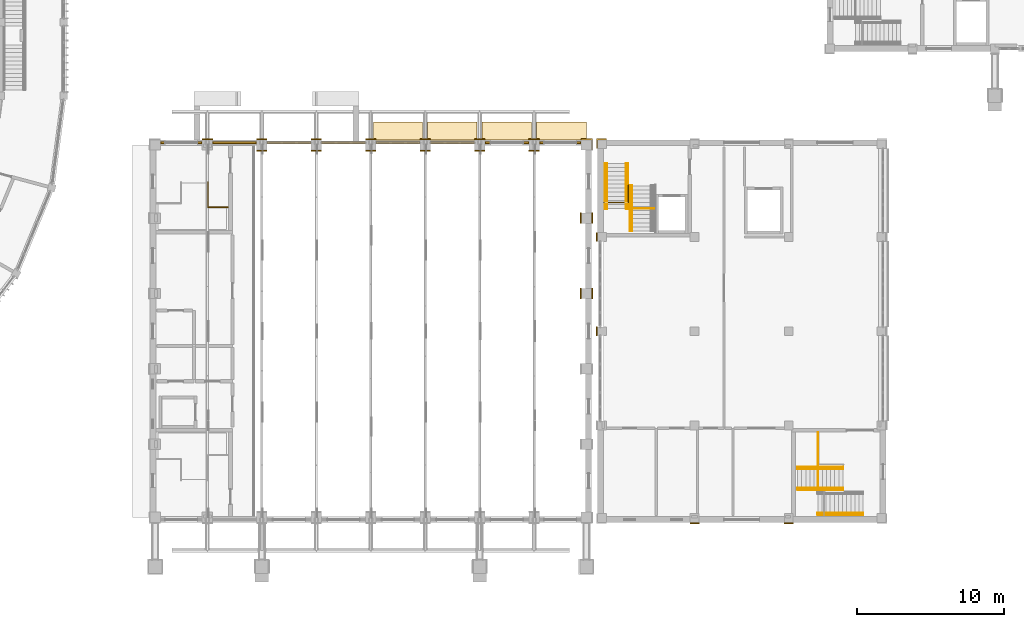
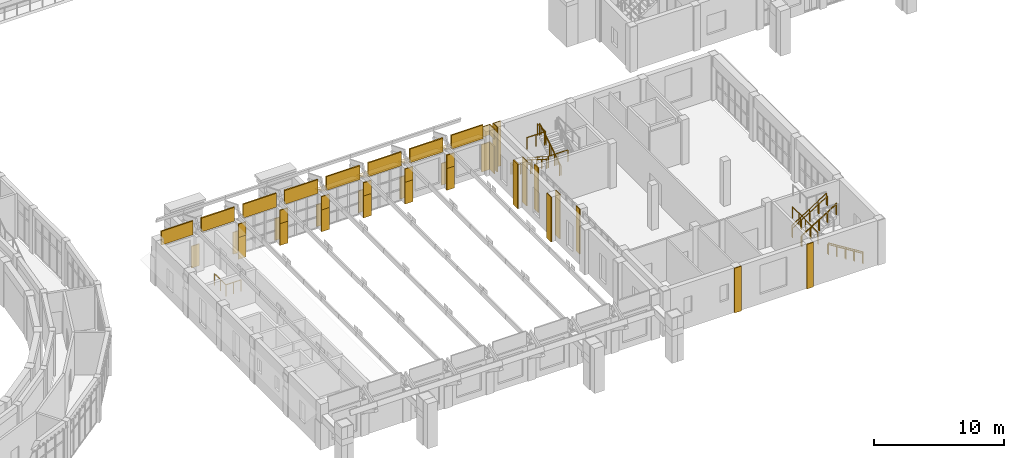
# One storey, part 87 of 99: 34 coverings, 16 railings, 8 shading devices.
"""IFC4 building model written with IfcOpenShell, lengths in metres."""

from ifc_helpers import new_model, si_unit, direction, frame, origin, origin_2d, place, context, subcontext, project, spatial, polyline, rectangle, circle, outline, extrude, material, layer, layer_set, type_object, element, save


model = new_model("IFC4")

# Units and contexts
model_context = context("Model", 3, precision=1e-05, world=origin(), true_north=direction((0.0, 1.0)))
body_context = subcontext(model_context, "Body", "Model", "MODEL_VIEW")
ifc_project = project(units=[si_unit("LENGTHUNIT", "METRE"), si_unit("AREAUNIT", "SQUARE_METRE"), si_unit("VOLUMEUNIT", "CUBIC_METRE"), si_unit("PLANEANGLEUNIT", "RADIAN"), si_unit("MASSUNIT", "GRAM", prefix="KILO")], contexts=[model_context])

# Site, building, storey
site_placement = place(None, origin())
site = spatial("IfcSite", under=ifc_project, at=site_placement, CompositionType="ELEMENT")
building_placement = place(site_placement, origin())
building = spatial("IfcBuilding", under=site, at=building_placement, Name="Wasatch Bagh Community Centre", CompositionType="ELEMENT")
storey_placement = place(building_placement, frame((0.0, 0.0, 4.199951171875)))
storey = spatial("IfcBuildingStorey", under=building, at=storey_placement, Name="L01", CompositionType="ELEMENT", Elevation=4.199951171875)

# Coverings
ifc_material_1 = material(Name="Cast stone cladding", Category="masonry")
ifc_layer_1 = layer(ifc_material_1, 0.080078125)
ifc_layer_set_1 = layer_set([ifc_layer_1], Name="Cast stone cladding")
covering_type_1 = type_object("IfcCoveringType", Name="CL-C1 column facing", PredefinedType="CLADDING", material=ifc_layer_set_1)
covering_1_placement = place(storey_placement, origin())
element("IfcCovering", 1, at=covering_1_placement, inside=storey, type_object=covering_type_1, Name="Column facing", PredefinedType="CLADDING", context=body_context, shape_type="SweptSolid", body=[
    extrude(outline(polyline([(70.25, 32.0), (69.550048828125, 32.0), (69.550048828125, 32.080078125), (70.25, 32.080078125), (70.25, 32.0)])), origin(), (0.0, 0.0, 1.0), 2.050048828125),
])
covering_2_placement = place(storey_placement, origin())
element("IfcCovering", 2, at=covering_2_placement, inside=storey, type_object=covering_type_1, Name="Column facing", PredefinedType="CLADDING", context=body_context, shape_type="SweptSolid", body=[
    extrude(outline(polyline([(73.25, 32.0), (73.25, 32.080078125), (73.949951171875, 32.080078125), (73.949951171875, 32.0), (73.25, 32.0)])), origin(), (0.0, 0.0, 1.0), 2.050048828125),
])
covering_3_placement = place(storey_placement, origin())
element("IfcCovering", 3, at=covering_3_placement, inside=storey, type_object=covering_type_1, Name="Column facing", PredefinedType="CLADDING", context=body_context, shape_type="SweptSolid", body=[
    extrude(outline(polyline([(73.949951171875, 31.300048828125), (73.949951171875, 31.219970703125), (73.25, 31.219970703125), (73.25, 31.300048828125), (73.949951171875, 31.300048828125)])), origin(), (0.0, 0.0, 1.0), 2.050048828125),
])
covering_4_placement = place(storey_placement, frame((0.0, 0.0, 2.050048828125)))
element("IfcCovering", 4, at=covering_4_placement, inside=storey, type_object=covering_type_1, Name="Column facing", PredefinedType="CLADDING", context=body_context, shape_type="SweptSolid", body=[
    extrude(outline(polyline([(73.25, 31.300048828125), (73.949951171875, 31.300048828125), (73.949951171875, 31.219970703125), (73.25, 31.219970703125), (73.25, 31.300048828125)])), origin(), (0.0, 0.0, 1.0), 1.25),
])
covering_5_placement = place(storey_placement, origin())
element("IfcCovering", 5, at=covering_5_placement, inside=storey, type_object=covering_type_1, Name="Column facing", PredefinedType="CLADDING", context=body_context, shape_type="SweptSolid", body=[
    extrude(outline(polyline([(76.949951171875, 32.0), (76.949951171875, 32.080078125), (77.64990234375, 32.080078125), (77.64990234375, 32.0), (76.949951171875, 32.0)])), origin(), (0.0, 0.0, 1.0), 2.050048828125),
])
covering_6_placement = place(storey_placement, origin())
element("IfcCovering", 6, at=covering_6_placement, inside=storey, type_object=covering_type_1, Name="Column facing", PredefinedType="CLADDING", context=body_context, shape_type="SweptSolid", body=[
    extrude(outline(polyline([(77.64990234375, 31.300048828125), (77.64990234375, 31.219970703125), (76.949951171875, 31.219970703125), (76.949951171875, 31.300048828125), (77.64990234375, 31.300048828125)])), origin(), (0.0, 0.0, 1.0), 2.050048828125),
])
covering_7_placement = place(storey_placement, frame((0.0, 0.0, 2.050048828125)))
element("IfcCovering", 7, at=covering_7_placement, inside=storey, type_object=covering_type_1, Name="Column facing", PredefinedType="CLADDING", context=body_context, shape_type="SweptSolid", body=[
    extrude(outline(polyline([(76.949951171875, 31.300048828125), (77.64990234375, 31.300048828125), (77.64990234375, 31.219970703125), (76.949951171875, 31.219970703125), (76.949951171875, 31.300048828125)])), origin(), (0.0, 0.0, 1.0), 1.25),
])
covering_8_placement = place(storey_placement, origin())
element("IfcCovering", 8, at=covering_8_placement, inside=storey, type_object=covering_type_1, Name="Column facing", PredefinedType="CLADDING", context=body_context, shape_type="SweptSolid", body=[
    extrude(outline(polyline([(80.64990234375, 32.0), (80.64990234375, 32.080078125), (81.35009765625, 32.080078125), (81.35009765625, 32.0), (80.64990234375, 32.0)])), origin(), (0.0, 0.0, 1.0), 2.050048828125),
])
covering_9_placement = place(storey_placement, origin())
element("IfcCovering", 9, at=covering_9_placement, inside=storey, type_object=covering_type_1, Name="Column facing", PredefinedType="CLADDING", context=body_context, shape_type="SweptSolid", body=[
    extrude(outline(polyline([(81.35009765625, 31.300048828125), (81.35009765625, 31.219970703125), (80.64990234375, 31.219970703125), (80.64990234375, 31.300048828125), (81.35009765625, 31.300048828125)])), origin(), (0.0, 0.0, 1.0), 2.050048828125),
])
covering_10_placement = place(storey_placement, frame((0.0, 0.0, 2.050048828125)))
element("IfcCovering", 10, at=covering_10_placement, inside=storey, type_object=covering_type_1, Name="Column facing", PredefinedType="CLADDING", context=body_context, shape_type="SweptSolid", body=[
    extrude(outline(polyline([(80.64990234375, 31.300048828125), (81.35009765625, 31.300048828125), (81.35009765625, 31.219970703125), (80.64990234375, 31.219970703125), (80.64990234375, 31.300048828125)])), origin(), (0.0, 0.0, 1.0), 1.25),
])
covering_11_placement = place(storey_placement, origin())
element("IfcCovering", 11, at=covering_11_placement, inside=storey, type_object=covering_type_1, Name="Column facing", PredefinedType="CLADDING", context=body_context, shape_type="SweptSolid", body=[
    extrude(outline(polyline([(84.35009765625, 32.0), (84.35009765625, 32.080078125), (85.050048828125, 32.080078125), (85.050048828125, 32.0), (84.35009765625, 32.0)])), origin(), (0.0, 0.0, 1.0), 2.050048828125),
])
covering_12_placement = place(storey_placement, origin())
element("IfcCovering", 12, at=covering_12_placement, inside=storey, type_object=covering_type_1, Name="Column facing", PredefinedType="CLADDING", context=body_context, shape_type="SweptSolid", body=[
    extrude(outline(polyline([(85.050048828125, 31.300048828125), (85.050048828125, 31.219970703125), (84.35009765625, 31.219970703125), (84.35009765625, 31.300048828125), (85.050048828125, 31.300048828125)])), origin(), (0.0, 0.0, 1.0), 2.050048828125),
])
covering_13_placement = place(storey_placement, frame((0.0, 0.0, 2.050048828125)))
element("IfcCovering", 13, at=covering_13_placement, inside=storey, type_object=covering_type_1, Name="Column facing", PredefinedType="CLADDING", context=body_context, shape_type="SweptSolid", body=[
    extrude(outline(polyline([(84.35009765625, 31.300048828125), (85.050048828125, 31.300048828125), (85.050048828125, 31.219970703125), (84.35009765625, 31.219970703125), (84.35009765625, 31.300048828125)])), origin(), (0.0, 0.0, 1.0), 1.25),
])
covering_14_placement = place(storey_placement, origin())
element("IfcCovering", 14, at=covering_14_placement, inside=storey, type_object=covering_type_1, Name="Column facing", PredefinedType="CLADDING", context=body_context, shape_type="SweptSolid", body=[
    extrude(outline(polyline([(88.050048828125, 32.0), (88.050048828125, 32.080078125), (88.75, 32.080078125), (88.75, 32.0), (88.050048828125, 32.0)])), origin(), (0.0, 0.0, 1.0), 2.050048828125),
])
covering_15_placement = place(storey_placement, origin())
element("IfcCovering", 15, at=covering_15_placement, inside=storey, type_object=covering_type_1, Name="Column facing", PredefinedType="CLADDING", context=body_context, shape_type="SweptSolid", body=[
    extrude(outline(polyline([(88.75, 31.300048828125), (88.75, 31.219970703125), (88.050048828125, 31.219970703125), (88.050048828125, 31.300048828125), (88.75, 31.300048828125)])), origin(), (0.0, 0.0, 1.0), 2.050048828125),
])
covering_16_placement = place(storey_placement, frame((0.0, 0.0, 2.050048828125)))
element("IfcCovering", 16, at=covering_16_placement, inside=storey, type_object=covering_type_1, Name="Column facing", PredefinedType="CLADDING", context=body_context, shape_type="SweptSolid", body=[
    extrude(outline(polyline([(88.050048828125, 31.300048828125), (88.75, 31.300048828125), (88.75, 31.219970703125), (88.050048828125, 31.219970703125), (88.050048828125, 31.300048828125)])), origin(), (0.0, 0.0, 1.0), 1.25),
])
covering_17_placement = place(storey_placement, origin())
element("IfcCovering", 17, at=covering_17_placement, inside=storey, type_object=covering_type_1, Name="Column facing", PredefinedType="CLADDING", context=body_context, shape_type="SweptSolid", body=[
    extrude(outline(polyline([(91.75, 32.0), (91.75, 32.080078125), (92.449951171875, 32.080078125), (92.449951171875, 32.0), (91.75, 32.0)])), origin(), (0.0, 0.0, 1.0), 2.050048828125),
])
covering_18_placement = place(storey_placement, origin())
element("IfcCovering", 18, at=covering_18_placement, inside=storey, type_object=covering_type_1, Name="Column facing", PredefinedType="CLADDING", context=body_context, shape_type="SweptSolid", body=[
    extrude(outline(polyline([(92.449951171875, 31.300048828125), (92.449951171875, 31.219970703125), (91.75, 31.219970703125), (91.75, 31.300048828125), (92.449951171875, 31.300048828125)])), origin(), (0.0, 0.0, 1.0), 2.050048828125),
])
covering_19_placement = place(storey_placement, frame((0.0, 0.0, 2.050048828125)))
element("IfcCovering", 19, at=covering_19_placement, inside=storey, type_object=covering_type_1, Name="Column facing", PredefinedType="CLADDING", context=body_context, shape_type="SweptSolid", body=[
    extrude(outline(polyline([(91.75, 31.300048828125), (92.449951171875, 31.300048828125), (92.449951171875, 31.219970703125), (91.75, 31.219970703125), (91.75, 31.300048828125)])), origin(), (0.0, 0.0, 1.0), 1.25),
])
covering_20_placement = place(storey_placement, origin())
element("IfcCovering", 20, at=covering_20_placement, inside=storey, type_object=covering_type_1, Name="Column facing", PredefinedType="CLADDING", context=body_context, shape_type="SweptSolid", body=[
    extrude(outline(polyline([(96.0, 32.0), (95.300048828125, 32.0), (95.300048828125, 32.080078125), (96.080078125, 32.080078125), (96.080078125, 31.300048828125), (96.0, 31.300048828125), (96.0, 32.0)])), origin(), (0.0, 0.0, 1.0), 2.570556640625),
])
covering_21_placement = place(storey_placement, frame((0.0, 0.0, 3.25)))
element("IfcCovering", 21, at=covering_21_placement, inside=storey, type_object=covering_type_1, Name="Column facing", PredefinedType="CLADDING", context=body_context, shape_type="SweptSolid", body=[
    extrude(outline(polyline([(96.0, 32.0), (95.300048828125, 32.0), (95.300048828125, 32.080078125), (96.080078125, 32.080078125), (96.080078125, 31.300048828125), (96.0, 31.300048828125), (96.0, 32.0)])), origin(), (0.0, 0.0, 1.0), 0.949951171875),
])
covering_22_placement = place(storey_placement, origin())
element("IfcCovering", 22, at=covering_22_placement, inside=storey, type_object=covering_type_1, Name="Column facing", PredefinedType="CLADDING", context=body_context, shape_type="SweptSolid", body=[
    extrude(outline(polyline([(96.0, 21.909912109375), (96.080078125, 21.909912109375), (96.080078125, 21.2099609375), (96.0, 21.2099609375), (96.0, 21.909912109375)])), origin(), (0.0, 0.0, 1.0), 4.199951171875),
])
covering_23_placement = place(storey_placement, origin())
element("IfcCovering", 23, at=covering_23_placement, inside=storey, type_object=covering_type_1, Name="Column facing", PredefinedType="CLADDING", context=body_context, shape_type="SweptSolid", body=[
    extrude(outline(polyline([(95.300048828125, 21.2099609375), (95.219970703125, 21.2099609375), (95.219970703125, 21.909912109375), (95.300048828125, 21.909912109375), (95.300048828125, 21.2099609375)])), origin(), (0.0, 0.0, 1.0), 4.199951171875),
])
covering_24_placement = place(storey_placement, origin())
element("IfcCovering", 24, at=covering_24_placement, inside=storey, type_object=covering_type_1, Name="Column facing", PredefinedType="CLADDING", context=body_context, shape_type="SweptSolid", body=[
    extrude(outline(polyline([(96.0, 27.030029296875), (96.080078125, 27.030029296875), (96.080078125, 26.330078125), (96.0, 26.330078125), (96.0, 27.030029296875)])), origin(), (0.0, 0.0, 1.0), 4.199951171875),
])
covering_25_placement = place(storey_placement, origin())
element("IfcCovering", 25, at=covering_25_placement, inside=storey, type_object=covering_type_1, Name="Column facing", PredefinedType="CLADDING", context=body_context, shape_type="SweptSolid", body=[
    extrude(outline(polyline([(95.300048828125, 26.330078125), (95.219970703125, 26.330078125), (95.219970703125, 27.030029296875), (95.300048828125, 27.030029296875), (95.300048828125, 26.330078125)])), origin(), (0.0, 0.0, 1.0), 4.199951171875),
])
covering_26_placement = place(storey_placement, origin())
element("IfcCovering", 26, at=covering_26_placement, inside=storey, type_object=covering_type_1, Name="Column facing", PredefinedType="CLADDING", context=body_context, shape_type="SweptSolid", body=[
    extrude(outline(polyline([(96.39990234375, 19.300048828125), (96.39990234375, 18.699951171875), (96.320068359375, 18.699951171875), (96.320068359375, 19.300048828125), (96.39990234375, 19.300048828125)])), origin(), (0.0, 0.0, 1.0), 4.199951171875),
])
covering_27_placement = place(storey_placement, origin())
element("IfcCovering", 27, at=covering_27_placement, inside=storey, type_object=covering_type_1, Name="Column facing", PredefinedType="CLADDING", context=body_context, shape_type="SweptSolid", body=[
    extrude(outline(polyline([(96.39990234375, 25.699951171875), (96.39990234375, 25.10009765625), (96.320068359375, 25.10009765625), (96.320068359375, 25.699951171875), (96.39990234375, 25.699951171875)])), origin(), (0.0, 0.0, 1.0), 4.199951171875),
])
covering_28_placement = place(storey_placement, origin())
element("IfcCovering", 28, at=covering_28_placement, inside=storey, type_object=covering_type_1, Name="Column facing", PredefinedType="CLADDING", context=body_context, shape_type="SweptSolid", body=[
    extrude(outline(polyline([(96.39990234375, 31.39990234375), (96.320068359375, 31.39990234375), (96.320068359375, 32.080078125), (97.0, 32.080078125), (97.0, 32.0), (96.39990234375, 32.0), (96.39990234375, 31.39990234375)])), origin(), (0.0, 0.0, 1.0), 4.199951171875),
])
covering_29_placement = place(storey_placement, origin())
element("IfcCovering", 29, at=covering_29_placement, inside=storey, type_object=covering_type_1, Name="Column facing", PredefinedType="CLADDING", context=body_context, shape_type="SweptSolid", body=[
    extrude(outline(polyline([(102.699951171875, 6.0), (103.300048828125, 6.0), (103.300048828125, 5.919921875), (102.699951171875, 5.919921875), (102.699951171875, 6.0)])), origin(), (0.0, 0.0, 1.0), 4.199951171875),
])
covering_30_placement = place(storey_placement, origin())
element("IfcCovering", 30, at=covering_30_placement, inside=storey, type_object=covering_type_1, Name="Column facing", PredefinedType="CLADDING", context=body_context, shape_type="SweptSolid", body=[
    extrude(outline(polyline([(109.10009765625, 6.0), (109.699951171875, 6.0), (109.699951171875, 5.919921875), (109.10009765625, 5.919921875), (109.10009765625, 6.0)])), origin(), (0.0, 0.0, 1.0), 4.199951171875),
])
ifc_material_2 = material(Name="Glass-fibre reinforced concrete", Category="concrete")
ifc_layer_2 = layer(ifc_material_2, 0.1201171875)
ifc_layer_set_2 = layer_set([ifc_layer_2], Name="Glass-fibre reinforced concrete")
covering_type_2 = type_object("IfcCoveringType", Name="DH chhajja band 120", PredefinedType="CLADDING", material=ifc_layer_set_2)
covering_31_placement = place(storey_placement, frame((81.169921875, 32.0, 3.25), z_axis=(0.0, 0.422633083665, 0.906300875312), x_axis=(1.0, 0.0, 0.0)))
element("IfcCovering", 31, at=covering_31_placement, inside=storey, type_object=covering_type_2, Name="Chhajja band N 1", PredefinedType="CLADDING", context=body_context, shape_type="SweptSolid", body=[
    extrude(outline(polyline([(0.0, 0.0), (3.360107421875, 0.0), (3.360107421875, 1.3240097241015767), (0.0, 1.3240097241015767), (0.0, 0.0)])), origin(), (0.0, 0.0, -1.0), 0.1201171875),
])
for number, where, z_axis, x_axis, name in (
    (32, (84.8701171875, 32.0, 3.25), (0.0, 0.422633083665, 0.906300875312), (1.0, 0.0, 0.0), "Chhajja band N 2"),
    (33, (88.570068359375, 32.0, 3.25), (0.0, 0.422633083665, 0.906300875312), (1.0, 0.0, 0.0), "Chhajja band N 3"),
):
    element("IfcCovering", number, at=place(storey_placement, frame(where, z_axis=z_axis, x_axis=x_axis)), inside=storey, type_object=covering_type_2, Name=name, PredefinedType="CLADDING", context=body_context, shape_type="SweptSolid", body=[
        extrude(outline(polyline([(0.0, 0.0), (3.35986328125, 0.0), (3.35986328125, 1.3240097241015767), (0.0, 1.3240097241015767), (0.0, 0.0)])), origin(), (0.0, 0.0, -1.0), 0.1201171875),
    ])
covering_32_placement = place(storey_placement, frame((92.27001953125, 32.0, 3.25), z_axis=(0.0, 0.422633083665, 0.906300875312), x_axis=(1.0, 0.0, 0.0)))
element("IfcCovering", 34, at=covering_32_placement, inside=storey, type_object=covering_type_2, Name="Chhajja band N 4", PredefinedType="CLADDING", context=body_context, shape_type="SweptSolid", body=[
    extrude(outline(polyline([(0.0, 0.0), (3.3798828125, 0.0), (3.3798828125, 1.3240097241015767), (0.0, 1.3240097241015767), (0.0, 0.0)])), origin(), (0.0, 0.0, -1.0), 0.1201171875),
])

# Railing
ifc_material_3 = material(Name="ASTM A36 steel", Category="steel")
railing_type_1 = type_object("IfcRailingType", Name="DH guard", PredefinedType="GUARDRAIL", material=ifc_material_3)
railing_1_placement = place(storey_placement, frame((71.300048828125, 27.419921875, 0.0)))
element("IfcRailing", 35, at=railing_1_placement, inside=storey, type_object=railing_type_1, Name="GUARD ST7", PredefinedType="GUARDRAIL", context=body_context, shape_type="SweptSolid", body=[
    extrude(circle(Radius=0.02392578125, at=origin_2d()), frame((0.0, 0.0, 1.076171875), z_axis=(-1.0, 0.0, 0.0), x_axis=(0.0, -1.0, 0.0)), (0.0, 0.0, 1.0), 1.35009765625),
    extrude(circle(Radius=0.02392578125, at=origin_2d()), frame((-1.35009765625, 0.0, 1.076171875), z_axis=(0.0, 1.0, 0.0), x_axis=(-1.0, 0.0, 0.0)), (0.0, 0.0, 1.0), 1.7099609375),
    extrude(circle(Radius=0.02099609375, at=origin_2d()), origin(), (0.0, 0.0, 1.0), 1.052001953125),
    extrude(circle(Radius=0.02099609375, at=origin_2d()), frame((-0.675048828125, 0.0, 0.0)), (0.0, 0.0, 1.0), 1.052001953125),
    extrude(circle(Radius=0.02099609375, at=origin_2d()), frame((-1.35009765625, 0.0, 0.0)), (0.0, 0.0, 1.0), 1.052001953125),
    extrude(circle(Radius=0.02099609375, at=origin_2d()), frame((-1.35009765625, 0.85498046875, 0.0)), (0.0, 0.0, 1.0), 1.052001953125),
    extrude(circle(Radius=0.02099609375, at=origin_2d()), frame((-1.35009765625, 1.7099609375, 0.0)), (0.0, 0.0, 1.0), 1.052001953125),
])

# Shading devices
ifc_material_4 = material(Name="Precast concrete C40/50", Category="concrete")
ifc_layer_3 = layer(ifc_material_4, 0.1201171875)
ifc_layer_set_3 = layer_set([ifc_layer_3], Name="Precast concrete C40/50")
shading_device_type = type_object("IfcShadingDeviceType", Name="DH jali eave panel 120", PredefinedType="USERDEFINED", material=ifc_layer_set_3)
shading_device_1_placement = place(storey_placement, frame((68.125, 31.800048828125, 3.30029296875), z_axis=(0.0, 0.0, 1.0), x_axis=(1.0, 0.0, 0.0)))
element("IfcShadingDevice", 36, at=shading_device_1_placement, inside=storey, type_object=shading_device_type, Name="Jali eave panel", ObjectType="Jali eave panel", PredefinedType="USERDEFINED", context=body_context, shape_type="SweptSolid", body=[
    extrude(rectangle(XDim=2.81005859375, YDim=0.1201171875, at=origin_2d()), origin(), (0.0, 0.0, 1.0), 1.297119140625),
])
for number, where, z_axis, x_axis, name in (
    (37, (71.75, 31.800048828125, 3.30029296875), (0.0, 0.0, 1.0), (1.0, 0.0, 0.0), "Jali eave panel"),
    (38, (75.449951171875, 31.800048828125, 3.30029296875), (0.0, 0.0, 1.0), (1.0, 0.0, 0.0), "Jali eave panel"),
    (39, (79.14990234375, 31.800048828125, 3.30029296875), (0.0, 0.0, 1.0), (1.0, 0.0, 0.0), "Jali eave panel"),
    (40, (82.85009765625, 31.800048828125, 3.30029296875), (0.0, 0.0, 1.0), (1.0, 0.0, 0.0), "Jali eave panel"),
    (41, (86.550048828125, 31.800048828125, 3.30029296875), (0.0, 0.0, 1.0), (1.0, 0.0, 0.0), "Jali eave panel"),
    (42, (90.25, 31.800048828125, 3.30029296875), (0.0, 0.0, 1.0), (1.0, 0.0, 0.0), "Jali eave panel"),
):
    element("IfcShadingDevice", number, at=place(storey_placement, frame(where, z_axis=z_axis, x_axis=x_axis)), inside=storey, type_object=shading_device_type, Name=name, ObjectType="Jali eave panel", PredefinedType="USERDEFINED", context=body_context, shape_type="SweptSolid", body=[
        extrude(rectangle(XDim=2.9599609375, YDim=0.1201171875, at=origin_2d()), origin(), (0.0, 0.0, 1.0), 1.297119140625),
    ])
shading_device_2_placement = place(storey_placement, frame((93.875, 31.800048828125, 3.30029296875), z_axis=(0.0, 0.0, 1.0), x_axis=(1.0, 0.0, 0.0)))
element("IfcShadingDevice", 43, at=shading_device_2_placement, inside=storey, type_object=shading_device_type, Name="Jali eave panel", ObjectType="Jali eave panel", PredefinedType="USERDEFINED", context=body_context, shape_type="SweptSolid", body=[
    extrude(rectangle(XDim=2.81005859375, YDim=0.1201171875, at=origin_2d()), origin(), (0.0, 0.0, 1.0), 1.297119140625),
])

# Railings
railing_type_2 = type_object("IfcRailingType", Name="KW guard", PredefinedType="GUARDRAIL", material=ifc_material_3)
for number, where, name in (
    (44, (98.469970703125, 30.39990234375, 0.175048828125), "GUARD ST4"),
    (45, (96.929931640625, 30.39990234375, 0.175048828125), "GUARD ST4"),
):
    element("IfcRailing", number, at=place(storey_placement, frame(where)), inside=storey, type_object=railing_type_2, Name=name, PredefinedType="GUARDRAIL", context=body_context, shape_type="SweptSolid", body=[
        extrude(circle(Radius=0.02392578125, at=origin_2d()), frame((0.0, 0.0, 1.076171875), z_axis=(0.0, -0.847979421464, 0.530029150871), x_axis=(1.0, 0.0, 0.0)), (0.0, 0.0, 1.0), 3.632080078125),
        extrude(circle(Radius=0.02099609375, at=origin_2d()), origin(), (0.0, 0.0, 1.0), 1.052001953125),
        extrude(circle(Radius=0.02099609375, at=origin_2d()), frame((0.0, -0.77001953125, 0.481201171875)), (0.0, 0.0, 1.0), 1.052001953125),
        extrude(circle(Radius=0.02099609375, at=origin_2d()), frame((0.0, -1.5400390625, 0.96240234375)), (0.0, 0.0, 1.0), 1.052001953125),
        extrude(circle(Radius=0.02099609375, at=origin_2d()), frame((0.0, -2.309814453125, 1.44384765625)), (0.0, 0.0, 1.0), 1.052001953125),
        extrude(circle(Radius=0.02099609375, at=origin_2d()), frame((0.0, -3.079833984375, 1.925048828125)), (0.0, 0.0, 1.0), 1.052001953125),
    ])
railing_2_placement = place(storey_placement, frame((98.6298828125, 25.800048828125, 2.275146484375)))
element("IfcRailing", 46, at=railing_2_placement, inside=storey, type_object=railing_type_2, Name="GUARD ST4", PredefinedType="GUARDRAIL", context=body_context, shape_type="SweptSolid", body=[
    extrude(circle(Radius=0.02392578125, at=origin_2d()), frame((0.0, 0.0, 1.076171875), z_axis=(0.0, 0.848009633417, 0.529980812513), x_axis=(-1.0, 0.0, 0.0)), (0.0, 0.0, 1.0), 3.6318359375),
    extrude(circle(Radius=0.02099609375, at=origin_2d()), origin(), (0.0, 0.0, 1.0), 1.052001953125),
    extrude(circle(Radius=0.02099609375, at=origin_2d()), frame((0.0, 0.77001953125, 0.481201171875)), (0.0, 0.0, 1.0), 1.052001953125),
    extrude(circle(Radius=0.02099609375, at=origin_2d()), frame((0.0, 1.5400390625, 0.96240234375)), (0.0, 0.0, 1.0), 1.052001953125),
    extrude(circle(Radius=0.02099609375, at=origin_2d()), frame((0.0, 2.309814453125, 1.443603515625)), (0.0, 0.0, 1.0), 1.052001953125),
    extrude(circle(Radius=0.02099609375, at=origin_2d()), frame((0.0, 3.079833984375, 1.9248046875)), (0.0, 0.0, 1.0), 1.052001953125),
])
railing_3_placement = place(storey_placement, frame((98.550048828125, 27.340087890625, 2.10009765625)))
element("IfcRailing", 47, at=railing_3_placement, inside=storey, type_object=railing_type_2, Name="GUARD ST4", PredefinedType="GUARDRAIL", context=body_context, shape_type="SweptSolid", body=[
    extrude(circle(Radius=0.02392578125, at=origin_2d()), frame((0.0, 0.0, 1.076171875), z_axis=(1.0, 0.0, 0.0), x_axis=(0.0, 1.0, 0.0)), (0.0, 0.0, 1.0), 1.699951171875),
    extrude(circle(Radius=0.02099609375, at=origin_2d()), origin(), (0.0, 0.0, 1.0), 1.052001953125),
    extrude(circle(Radius=0.02099609375, at=origin_2d()), frame((0.85009765625, 0.0, 0.0)), (0.0, 0.0, 1.0), 1.052001953125),
    extrude(circle(Radius=0.02099609375, at=origin_2d()), frame((1.699951171875, 0.0, 0.0)), (0.0, 0.0, 1.0), 1.052001953125),
])
railing_4_placement = place(storey_placement, frame((96.85009765625, 27.738037109375, 4.199951171875)))
element("IfcRailing", 48, at=railing_4_placement, inside=storey, type_object=railing_type_2, Name="GUARD ST4", PredefinedType="GUARDRAIL", context=body_context, shape_type="SweptSolid", body=[
    extrude(circle(Radius=0.02392578125, at=origin_2d()), frame((0.0, 0.0, 1.076171875), z_axis=(1.0, 0.0, 0.0), x_axis=(0.0, 1.0, 0.0)), (0.0, 0.0, 1.0), 1.64990234375),
    extrude(circle(Radius=0.02392578125, at=origin_2d()), frame((1.64990234375, 0.0, 1.076171875), z_axis=(0.0, 1.0, 0.0), x_axis=(-1.0, 0.0, 0.0)), (0.0, 0.0, 1.0), 1.19189453125),
    extrude(circle(Radius=0.02099609375, at=origin_2d()), origin(), (0.0, 0.0, 1.0), 1.052001953125),
    extrude(circle(Radius=0.02099609375, at=origin_2d()), frame((0.824951171875, 0.0, 0.0)), (0.0, 0.0, 1.0), 1.052001953125),
    extrude(circle(Radius=0.02099609375, at=origin_2d()), frame((1.64990234375, 0.0, 0.0)), (0.0, 0.0, 1.0), 1.052001953125),
    extrude(circle(Radius=0.02099609375, at=origin_2d()), frame((1.64990234375, 1.19189453125, 0.0)), (0.0, 0.0, 1.0), 1.052001953125),
])
railing_5_placement = place(storey_placement, frame((114.449951171875, 6.530029296875, 0.175048828125)))
element("IfcRailing", 49, at=railing_5_placement, inside=storey, type_object=railing_type_2, Name="GUARD ST5", PredefinedType="GUARDRAIL", context=body_context, shape_type="SweptSolid", body=[
    extrude(circle(Radius=0.02392578125, at=origin_2d()), frame((0.0, 0.0, 1.076171875), z_axis=(-0.847979421464, 0.0, 0.530029150871), x_axis=(0.0, -1.0, 0.0)), (0.0, 0.0, 1.0), 3.632080078125),
    extrude(circle(Radius=0.02099609375, at=origin_2d()), origin(), (0.0, 0.0, 1.0), 1.052001953125),
    extrude(circle(Radius=0.02099609375, at=origin_2d()), frame((-0.77001953125, 0.0, 0.481201171875)), (0.0, 0.0, 1.0), 1.052001953125),
    extrude(circle(Radius=0.02099609375, at=origin_2d()), frame((-1.5400390625, 0.0, 0.96240234375)), (0.0, 0.0, 1.0), 1.052001953125),
    extrude(circle(Radius=0.02099609375, at=origin_2d()), frame((-2.309814453125, 0.0, 1.44384765625)), (0.0, 0.0, 1.0), 1.052001953125),
    extrude(circle(Radius=0.02099609375, at=origin_2d()), frame((-3.079833984375, 0.0, 1.925048828125)), (0.0, 0.0, 1.0), 1.052001953125),
])
for number, where, name in (
    (50, (110.0, 9.77001953125, 2.275146484375), "GUARD ST5"),
    (51, (110.0, 8.22998046875, 2.275146484375), "GUARD ST5"),
):
    element("IfcRailing", number, at=place(storey_placement, frame(where)), inside=storey, type_object=railing_type_2, Name=name, PredefinedType="GUARDRAIL", context=body_context, shape_type="SweptSolid", body=[
        extrude(circle(Radius=0.02392578125, at=origin_2d()), frame((0.0, 0.0, 1.076171875), z_axis=(0.848028513186, 0.0, 0.529950602248), x_axis=(0.0, 1.0, 0.0)), (0.0, 0.0, 1.0), 3.632080078125),
        extrude(circle(Radius=0.02099609375, at=origin_2d()), origin(), (0.0, 0.0, 1.0), 1.052001953125),
        extrude(circle(Radius=0.02099609375, at=origin_2d()), frame((0.77001953125, 0.0, 0.481201171875)), (0.0, 0.0, 1.0), 1.052001953125),
        extrude(circle(Radius=0.02099609375, at=origin_2d()), frame((1.5400390625, 0.0, 0.96240234375)), (0.0, 0.0, 1.0), 1.052001953125),
        extrude(circle(Radius=0.02099609375, at=origin_2d()), frame((2.31005859375, 0.0, 1.443603515625)), (0.0, 0.0, 1.0), 1.052001953125),
        extrude(circle(Radius=0.02099609375, at=origin_2d()), frame((3.080078125, 0.0, 1.9248046875)), (0.0, 0.0, 1.0), 1.052001953125),
    ])
railing_6_placement = place(storey_placement, frame((111.389892578125, 8.14990234375, 2.10009765625)))
element("IfcRailing", 52, at=railing_6_placement, inside=storey, type_object=railing_type_2, Name="GUARD ST5", PredefinedType="GUARDRAIL", context=body_context, shape_type="SweptSolid", body=[
    extrude(circle(Radius=0.02392578125, at=origin_2d()), frame((0.0, 0.0, 1.076171875), z_axis=(0.0, 1.0, 0.0), x_axis=(-1.0, 0.0, 0.0)), (0.0, 0.0, 1.0), 3.9501953125),
    extrude(circle(Radius=0.02099609375, at=origin_2d()), origin(), (0.0, 0.0, 1.0), 1.052001953125),
    extrude(circle(Radius=0.02099609375, at=origin_2d()), frame((0.0, 0.987548828125, 0.0)), (0.0, 0.0, 1.0), 1.052001953125),
    extrude(circle(Radius=0.02099609375, at=origin_2d()), frame((0.0, 1.97509765625, 0.0)), (0.0, 0.0, 1.0), 1.052001953125),
    extrude(circle(Radius=0.02099609375, at=origin_2d()), frame((0.0, 2.962646484375, 0.0)), (0.0, 0.0, 1.0), 1.052001953125),
    extrude(circle(Radius=0.02099609375, at=origin_2d()), frame((0.0, 3.9501953125, 0.0)), (0.0, 0.0, 1.0), 1.052001953125),
])
railing_type_3 = type_object("IfcRailingType", Name="KW handrail", PredefinedType="HANDRAIL", material=ifc_material_3)
for number, where, name in (
    (53, (98.35009765625, 30.39990234375, 0.175048828125), "HANDRAIL ST4"),
    (54, (97.050048828125, 30.39990234375, 0.175048828125), "HANDRAIL ST4"),
):
    element("IfcRailing", number, at=place(storey_placement, frame(where)), inside=storey, type_object=railing_type_3, Name=name, PredefinedType="HANDRAIL", context=body_context, shape_type="SweptSolid", body=[
        extrude(circle(Radius=0.02392578125, at=origin_2d()), frame((0.0, 0.0, 0.8759765625), z_axis=(0.0, -0.847979421464, 0.530029150871), x_axis=(1.0, 0.0, 0.0)), (0.0, 0.0, 1.0), 3.632080078125),
        extrude(circle(Radius=0.02099609375, at=origin_2d()), origin(), (0.0, 0.0, 1.0), 0.851806640625),
        extrude(circle(Radius=0.02099609375, at=origin_2d()), frame((0.0, -0.77001953125, 0.481201171875)), (0.0, 0.0, 1.0), 0.851806640625),
        extrude(circle(Radius=0.02099609375, at=origin_2d()), frame((0.0, -1.5400390625, 0.96240234375)), (0.0, 0.0, 1.0), 0.851806640625),
        extrude(circle(Radius=0.02099609375, at=origin_2d()), frame((0.0, -2.309814453125, 1.44384765625)), (0.0, 0.0, 1.0), 0.851806640625),
        extrude(circle(Radius=0.02099609375, at=origin_2d()), frame((0.0, -3.079833984375, 1.925048828125)), (0.0, 0.0, 1.0), 0.851806640625),
    ])
railing_7_placement = place(storey_placement, frame((98.75, 25.800048828125, 2.275146484375)))
element("IfcRailing", 55, at=railing_7_placement, inside=storey, type_object=railing_type_3, Name="HANDRAIL ST4", PredefinedType="HANDRAIL", context=body_context, shape_type="SweptSolid", body=[
    extrude(circle(Radius=0.02392578125, at=origin_2d()), frame((0.0, 0.0, 0.8759765625), z_axis=(0.0, 0.848009633417, 0.529980812513), x_axis=(-1.0, 0.0, 0.0)), (0.0, 0.0, 1.0), 3.6318359375),
    extrude(circle(Radius=0.02099609375, at=origin_2d()), origin(), (0.0, 0.0, 1.0), 0.851806640625),
    extrude(circle(Radius=0.02099609375, at=origin_2d()), frame((0.0, 0.77001953125, 0.481201171875)), (0.0, 0.0, 1.0), 0.851806640625),
    extrude(circle(Radius=0.02099609375, at=origin_2d()), frame((0.0, 1.5400390625, 0.96240234375)), (0.0, 0.0, 1.0), 0.851806640625),
    extrude(circle(Radius=0.02099609375, at=origin_2d()), frame((0.0, 2.309814453125, 1.443603515625)), (0.0, 0.0, 1.0), 0.851806640625),
    extrude(circle(Radius=0.02099609375, at=origin_2d()), frame((0.0, 3.079833984375, 1.9248046875)), (0.0, 0.0, 1.0), 0.851806640625),
])
railing_8_placement = place(storey_placement, frame((114.449951171875, 6.64990234375, 0.175048828125)))
element("IfcRailing", 56, at=railing_8_placement, inside=storey, type_object=railing_type_3, Name="HANDRAIL ST5", PredefinedType="HANDRAIL", context=body_context, shape_type="SweptSolid", body=[
    extrude(circle(Radius=0.02392578125, at=origin_2d()), frame((0.0, 0.0, 0.8759765625), z_axis=(-0.847979421464, 0.0, 0.530029150871), x_axis=(0.0, -1.0, 0.0)), (0.0, 0.0, 1.0), 3.632080078125),
    extrude(circle(Radius=0.02099609375, at=origin_2d()), origin(), (0.0, 0.0, 1.0), 0.851806640625),
    extrude(circle(Radius=0.02099609375, at=origin_2d()), frame((-0.77001953125, 0.0, 0.481201171875)), (0.0, 0.0, 1.0), 0.851806640625),
    extrude(circle(Radius=0.02099609375, at=origin_2d()), frame((-1.5400390625, 0.0, 0.96240234375)), (0.0, 0.0, 1.0), 0.851806640625),
    extrude(circle(Radius=0.02099609375, at=origin_2d()), frame((-2.309814453125, 0.0, 1.44384765625)), (0.0, 0.0, 1.0), 0.851806640625),
    extrude(circle(Radius=0.02099609375, at=origin_2d()), frame((-3.079833984375, 0.0, 1.925048828125)), (0.0, 0.0, 1.0), 0.851806640625),
])
for number, where, name in (
    (57, (110.0, 9.64990234375, 2.275146484375), "HANDRAIL ST5"),
    (58, (110.0, 8.35009765625, 2.275146484375), "HANDRAIL ST5"),
):
    element("IfcRailing", number, at=place(storey_placement, frame(where)), inside=storey, type_object=railing_type_3, Name=name, PredefinedType="HANDRAIL", context=body_context, shape_type="SweptSolid", body=[
        extrude(circle(Radius=0.02392578125, at=origin_2d()), frame((0.0, 0.0, 0.8759765625), z_axis=(0.848028513186, 0.0, 0.529950602248), x_axis=(0.0, 1.0, 0.0)), (0.0, 0.0, 1.0), 3.632080078125),
        extrude(circle(Radius=0.02099609375, at=origin_2d()), origin(), (0.0, 0.0, 1.0), 0.851806640625),
        extrude(circle(Radius=0.02099609375, at=origin_2d()), frame((0.77001953125, 0.0, 0.481201171875)), (0.0, 0.0, 1.0), 0.851806640625),
        extrude(circle(Radius=0.02099609375, at=origin_2d()), frame((1.5400390625, 0.0, 0.96240234375)), (0.0, 0.0, 1.0), 0.851806640625),
        extrude(circle(Radius=0.02099609375, at=origin_2d()), frame((2.31005859375, 0.0, 1.443603515625)), (0.0, 0.0, 1.0), 0.851806640625),
        extrude(circle(Radius=0.02099609375, at=origin_2d()), frame((3.080078125, 0.0, 1.9248046875)), (0.0, 0.0, 1.0), 0.851806640625),
    ])

save(model, "model.ifc")
